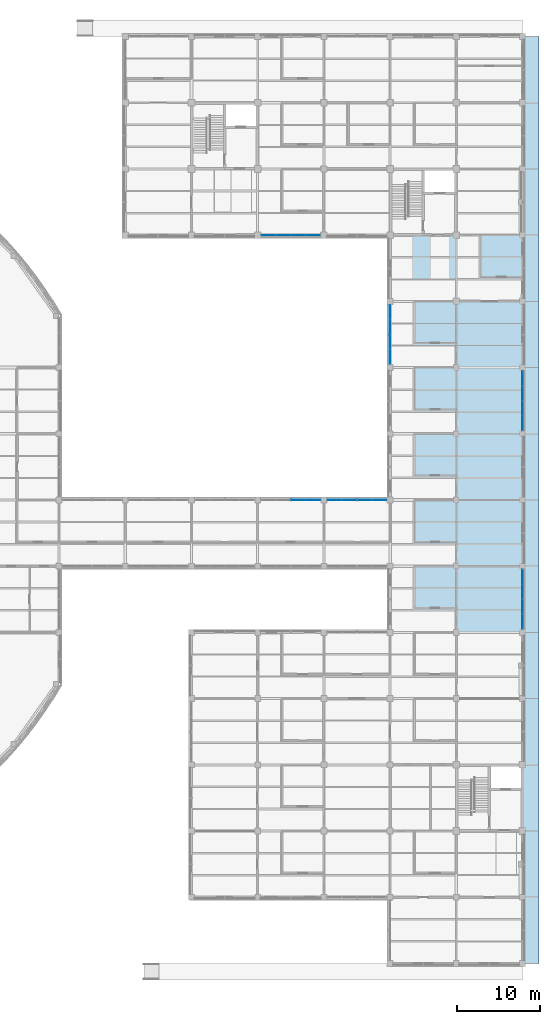
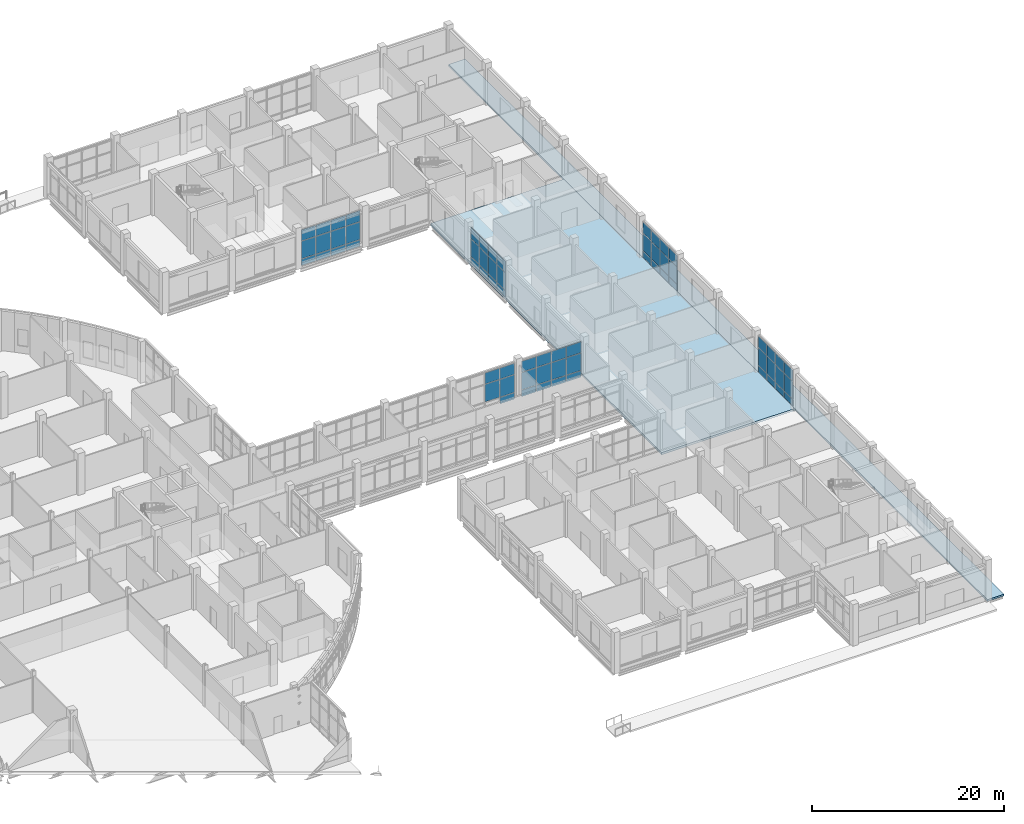
# One storey, part 56 of 105: 65 plates, 2 slabs, 6 elements without a shape of their own.
"""IFC4 building model written with IfcOpenShell, lengths in metres."""

import ifcopenshell
import ifcopenshell.guid

model = None  # the IFC model being written
_history = None  # IfcOwnerHistory: only IFC2X3 demands one
_inside = {}  # id of a spatial element -> (the spatial element, [elements in it])
_under = {}  # id of a project, library or spatial element -> (it, [spatial elements below it])
_declared = {}  # id of a project -> (the project, [libraries it declares])
_typed = {}  # id of a type object -> (the type object, [elements of that type])
_made_of = {}  # id of a material, layer set ... -> (it, [elements and type objects made of it])


def new_model(schema):
    """Start an empty IFC model of exactly this schema.

    Asked for "IFC4X3", IfcOpenShell would pick the latest addendum, in which some entities
    have other attributes; the version numbers below select the first issue.
    IFC2X3 requires an IfcOwnerHistory on every rooted entity: one is made here for all.
    """
    global model, _history
    if schema == "IFC4X3":
        model = ifcopenshell.file(schema_version=(4, 3, 0, 0))
    else:
        model = ifcopenshell.file(schema=schema)
    _inside.clear()
    _under.clear()
    _declared.clear()
    _typed.clear()
    _made_of.clear()
    _history = None
    if model.schema == "IFC2X3":
        org = make("IfcOrganization", Name="unknown")
        user = make(
            "IfcPersonAndOrganization",
            ThePerson=make("IfcPerson", FamilyName="unknown"),
            TheOrganization=org,
        )
        app = make(
            "IfcApplication",
            ApplicationDeveloper=org,
            Version="unknown",
            ApplicationFullName="unknown",
            ApplicationIdentifier="unknown",
        )
        _history = make(
            "IfcOwnerHistory",
            OwningUser=user,
            OwningApplication=app,
            ChangeAction="ADDED",
            CreationDate=0,
        )
    return model


def make(cls, **values):
    """One entity of the class cls with the attributes given. An attribute that is None is left unset."""
    return model.create_entity(
        cls, **{name: value for name, value in values.items() if value is not None}
    )


def rooted(cls, **values):
    """An entity with a GlobalId (a new one), such as an element, a storey or a relation."""
    return make(cls, GlobalId=ifcopenshell.guid.new(), OwnerHistory=_history, **values)


def si_unit(unit_type, name, prefix=None):
    """IfcSIUnit, for example si_unit("LENGTHUNIT", "METRE", prefix="MILLI")."""
    return make("IfcSIUnit", UnitType=unit_type, Prefix=prefix, Name=name)


def derived_unit(unit_type, elements):
    """IfcDerivedUnit: a product of units, each with its exponent."""
    return make(
        "IfcDerivedUnit",
        Elements=[
            make("IfcDerivedUnitElement", Unit=unit, Exponent=power)
            for unit, power in elements
        ],
        UnitType=unit_type,
    )


def assignment(units):
    """IfcUnitAssignment: the units of a project."""
    return None if units is None else make("IfcUnitAssignment", Units=units)


def point(xyz):
    """IfcCartesianPoint."""
    return None if xyz is None else make("IfcCartesianPoint", Coordinates=xyz)


def direction(xyz):
    """IfcDirection."""
    return None if xyz is None else make("IfcDirection", DirectionRatios=xyz)


def frame(location, z_axis=None, x_axis=None):
    """IfcAxis2Placement3D, a coordinate frame: its origin and axes. An axis left out is left unset."""
    return make(
        "IfcAxis2Placement3D",
        Location=point(location),
        Axis=direction(z_axis),
        RefDirection=direction(x_axis),
    )


def frame_2d(location, x_axis=None):
    """IfcAxis2Placement2D, a coordinate frame in the plane: its origin and x axis."""
    return make(
        "IfcAxis2Placement2D", Location=point(location), RefDirection=direction(x_axis)
    )


def origin():
    """The frame at (0, 0, 0) with its axes left unset."""
    return frame((0.0, 0.0, 0.0))


def origin_2d():
    """The frame at (0, 0) in the plane with its x axis left unset."""
    return frame_2d((0.0, 0.0))


def place(relative_to, where):
    """IfcLocalPlacement: puts the frame where relative to a parent placement (None: the world)."""
    return make(
        "IfcLocalPlacement", PlacementRelTo=relative_to, RelativePlacement=where
    )


def context(
    kind, dimensions, precision=None, world=None, true_north=None, identifier=None
):
    """IfcGeometricRepresentationContext, for example the 3D "Model" context."""
    return make(
        "IfcGeometricRepresentationContext",
        ContextIdentifier=identifier,
        ContextType=kind,
        CoordinateSpaceDimension=dimensions,
        Precision=precision,
        WorldCoordinateSystem=world,
        TrueNorth=true_north,
    )


def subcontext(parent, identifier, kind, view, scale=None):
    """IfcGeometricRepresentationSubContext, for example "Body" below "Model"."""
    return make(
        "IfcGeometricRepresentationSubContext",
        ContextIdentifier=identifier,
        ContextType=kind,
        ParentContext=parent,
        TargetScale=scale,
        TargetView=view,
    )


def project(units=None, contexts=None):
    """IfcProject with its units and contexts."""
    return rooted(
        "IfcProject",
        Name="project",
        RepresentationContexts=contexts,
        UnitsInContext=assignment(units),
    )


def spatial(cls, under=None, at=None, **own):
    """A site, building, storey or space (cls), placed at a placement, below another one or the project."""
    s = rooted(cls, ObjectPlacement=at, **own)
    if under is not None:
        _under.setdefault(under.id(), (under, []))[1].append(s)
    return s


def polyline(points):
    """IfcPolyline through the points."""
    return make("IfcPolyline", Points=[point(p) for p in points])


def profile(cls, at=None, kind="AREA", **sizes):
    """A parametric profile (cls). Its sizes go by their IFC names, for example OverallWidth=200.0."""
    return make(cls, ProfileType=kind, Position=at, **sizes)


def rectangle(**sizes):
    """IfcRectangleProfileDef."""
    return profile("IfcRectangleProfileDef", **sizes)


def outline(outer, holes=None, kind="AREA"):
    """IfcArbitraryClosedProfileDef: a profile drawn as a closed curve; with holes, ...WithVoids."""
    if holes is None:
        return make("IfcArbitraryClosedProfileDef", ProfileType=kind, OuterCurve=outer)
    return make(
        "IfcArbitraryProfileDefWithVoids",
        ProfileType=kind,
        OuterCurve=outer,
        InnerCurves=holes,
    )


def extrude(swept, where, along, depth):
    """IfcExtrudedAreaSolid: the profile swept, set in the frame where, extruded along a direction by depth."""
    return make(
        "IfcExtrudedAreaSolid",
        SweptArea=swept,
        Position=where,
        ExtrudedDirection=direction(along),
        Depth=depth,
    )


def shape(context_of_items, identifier, shape_type, items):
    """IfcShapeRepresentation: the items that make up one representation, for example the "Body"."""
    return make(
        "IfcShapeRepresentation",
        ContextOfItems=context_of_items,
        RepresentationIdentifier=identifier,
        RepresentationType=shape_type,
        Items=items,
    )


def material(Name=None, Category=None):
    """IfcMaterial."""
    return make("IfcMaterial", Name=Name, Category=Category)


def layer(
    of_material, thickness, ventilated=None, Name=None, Category=None, Priority=None
):
    """IfcMaterialLayer: one layer of a wall or slab, of a material (None: an air gap)."""
    return make(
        "IfcMaterialLayer",
        Material=of_material,
        LayerThickness=thickness,
        IsVentilated=ventilated,
        Name=Name,
        Category=Category,
        Priority=Priority,
    )


def layer_set(layers, Name=None):
    """IfcMaterialLayerSet."""
    return make("IfcMaterialLayerSet", MaterialLayers=layers, LayerSetName=Name)


def made_of(thing, what):
    """Note that an element or type object is made of a material, layer set ...; save() writes the relation."""
    if what is not None:
        _made_of.setdefault(what.id(), (what, []))[1].append(thing)
    return thing


def type_object(cls, material=None, **own):
    """A type object (cls), such as IfcWallType, which elements share."""
    return made_of(rooted(cls, **own), material)


def element(
    cls,
    number,
    at=None,
    inside=None,
    cuts=None,
    type_object=None,
    material=None,
    context=None,
    identifier="Body",
    shape_type=None,
    held_by="IfcProductDefinitionShape",
    body=None,
    shapes=None,
    **own,
):
    """One element of the class cls, such as IfcWall. Its Tag is "e" and its number.

    at: its placement. inside: the storey or other place that contains it. cuts: it is an
    opening in that element (IfcRelVoidsElement). A single representation is given by context,
    identifier, shape_type and body (its items); several are given by shapes. held_by: the class
    of the entity that holds the representations. save() writes the other relations.
    """
    e = rooted(cls, Tag="e%d" % number, ObjectPlacement=at, **own)
    if body is not None:
        shapes = [shape(context, identifier, shape_type, body)]
    if shapes is not None:
        e.Representation = make(held_by, Representations=shapes)
    if inside is not None:
        _inside.setdefault(inside.id(), (inside, []))[1].append(e)
    if cuts is not None:
        rooted(
            "IfcRelVoidsElement", RelatingBuildingElement=cuts, RelatedOpeningElement=e
        )
    if type_object is not None:
        _typed.setdefault(type_object.id(), (type_object, []))[1].append(e)
    return made_of(e, material)


def aggregate(whole, parts):
    """IfcRelAggregates: a whole, such as a stair, and the parts it consists of."""
    return rooted("IfcRelAggregates", RelatingObject=whole, RelatedObjects=parts)


def save(model, path):
    """Write the relations noted so far, then the file.

    IfcRelAggregates (storeys below a building ...), IfcRelContainedInSpatialStructure (elements
    in a storey), IfcRelDefinesByType, IfcRelAssociatesMaterial and IfcRelDeclares: one each for
    every whole, place, type object, material and project.
    """
    for whole, parts in _under.values():
        aggregate(whole, parts)
    for where, things in _inside.values():
        rooted(
            "IfcRelContainedInSpatialStructure",
            RelatedElements=things,
            RelatingStructure=where,
        )
    for kind, things in _typed.values():
        rooted("IfcRelDefinesByType", RelatedObjects=things, RelatingType=kind)
    for what, things in _made_of.values():
        rooted("IfcRelAssociatesMaterial", RelatedObjects=things, RelatingMaterial=what)
    for by, libraries in _declared.values():
        rooted("IfcRelDeclares", RelatingContext=by, RelatedDefinitions=libraries)
    model.write(path)


model = new_model("IFC4")

# Units and contexts
model_context = context("Model", 3, precision=1e-05, world=origin(), true_north=direction((0.0, 1.0)))
body_context = subcontext(model_context, "Body", "Model", "MODEL_VIEW")
ifc_project = project(units=[si_unit("LENGTHUNIT", "METRE"), si_unit("AREAUNIT", "SQUARE_METRE"), si_unit("VOLUMEUNIT", "CUBIC_METRE"), si_unit("PLANEANGLEUNIT", "RADIAN"), si_unit("MASSUNIT", "GRAM", prefix="KILO"), derived_unit("THERMALTRANSMITTANCEUNIT", [(si_unit("MASSUNIT", "GRAM", prefix="KILO"), 1), (si_unit("TIMEUNIT", "SECOND"), -3), (si_unit("THERMODYNAMICTEMPERATUREUNIT", "KELVIN"), -1)])], contexts=[model_context])

# Site, building, storey
site_placement = place(None, origin())
site = spatial("IfcSite", under=ifc_project, at=site_placement, CompositionType="ELEMENT")
building_placement = place(site_placement, origin())
building = spatial("IfcBuilding", under=site, at=building_placement, Name="Veyamyaing Civic Hall", CompositionType="ELEMENT")
storey_placement = place(building_placement, origin())
storey = spatial("IfcBuildingStorey", under=building, at=storey_placement, Name="L00", CompositionType="ELEMENT", Elevation=0.0)

# Curtain wall, plates
ifc_material_1 = material(Name="Anodised aluminium 6063-T6", Category="aluminium")
ifc_layer_1 = layer(ifc_material_1, 0.159912109375, Name="Anodised aluminium 6063-T6")
ifc_layer_set_1 = layer_set([ifc_layer_1], Name="Anodised aluminium 6063-T6")
curtain_wall_type = type_object("IfcCurtainWallType", Name="CW-01", PredefinedType="NOTDEFINED", material=ifc_layer_set_1)
curtain_wall_1_placement = place(storey_placement, origin())
curtain_wall_1 = element("IfcCurtainWall", 1, at=curtain_wall_1_placement, inside=storey, type_object=curtain_wall_type, Name="Unitized curtain wall CW-01 L00 S 19.12", PredefinedType="NOTDEFINED")
ifc_material_2 = material(Name="Low-E insulated glass", Category="glass")
ifc_layer_2 = layer(ifc_material_2, 0.028076171875, Name="Low-E insulated glass")
ifc_layer_set_2 = layer_set([ifc_layer_2], Name="Low-E insulated glass")
plate_type_1 = type_object("IfcPlateType", Name="CWP-01", PredefinedType="CURTAIN_PANEL", material=ifc_layer_set_2)
plate_1_placement = place(storey_placement, frame((145.320068359375, 88.0, 0.06494140625), z_axis=(0.0, 0.0, 1.0), x_axis=(1.0, 0.0, 0.0)))
plate_1 = element("IfcPlate", 2, at=plate_1_placement, type_object=plate_type_1, Name="CW-01 panel 1.1", PredefinedType="CURTAIN_PANEL", context=body_context, shape_type="SweptSolid", body=[
    extrude(rectangle(XDim=1.699951171875, YDim=0.028076171875, at=origin_2d()), origin(), (0.0, 0.0, 1.0), 0.802490234375),
])
plate_2_placement = place(storey_placement, frame((145.320068359375, 88.0, 0.932373046875), z_axis=(0.0, 0.0, 1.0), x_axis=(1.0, 0.0, 0.0)))
plate_2 = element("IfcPlate", 3, at=plate_2_placement, type_object=plate_type_1, Name="CW-01 panel 1.2", PredefinedType="CURTAIN_PANEL", context=body_context, shape_type="SweptSolid", body=[
    extrude(rectangle(XDim=1.699951171875, YDim=0.028076171875, at=origin_2d()), origin(), (0.0, 0.0, 1.0), 2.21337890625),
])
plate_3_placement = place(storey_placement, frame((145.320068359375, 88.0, 3.2109375), z_axis=(0.0, 0.0, 1.0), x_axis=(1.0, 0.0, 0.0)))
plate_3 = element("IfcPlate", 4, at=plate_3_placement, type_object=plate_type_1, Name="CW-01 panel 1.3", PredefinedType="CURTAIN_PANEL", context=body_context, shape_type="SweptSolid", body=[
    extrude(rectangle(XDim=1.699951171875, YDim=0.028076171875, at=origin_2d()), origin(), (0.0, 0.0, 1.0), 1.398193359375),
])
plate_4_placement = place(storey_placement, frame((147.101318359375, 88.0, 0.06494140625), z_axis=(0.0, 0.0, 1.0), x_axis=(1.0, 0.0, 0.0)))
plate_4 = element("IfcPlate", 5, at=plate_4_placement, type_object=plate_type_1, Name="CW-01 panel 2.1", PredefinedType="CURTAIN_PANEL", context=body_context, shape_type="SweptSolid", body=[
    extrude(rectangle(XDim=1.732421875, YDim=0.028076171875, at=origin_2d()), origin(), (0.0, 0.0, 1.0), 0.802490234375),
])
plate_5_placement = place(storey_placement, frame((147.101318359375, 88.0, 0.932373046875), z_axis=(0.0, 0.0, 1.0), x_axis=(1.0, 0.0, 0.0)))
plate_5 = element("IfcPlate", 6, at=plate_5_placement, type_object=plate_type_1, Name="CW-01 panel 2.2", PredefinedType="CURTAIN_PANEL", context=body_context, shape_type="SweptSolid", body=[
    extrude(rectangle(XDim=1.732421875, YDim=0.028076171875, at=origin_2d()), origin(), (0.0, 0.0, 1.0), 2.21337890625),
])
plate_6_placement = place(storey_placement, frame((147.101318359375, 88.0, 3.2109375), z_axis=(0.0, 0.0, 1.0), x_axis=(1.0, 0.0, 0.0)))
plate_6 = element("IfcPlate", 7, at=plate_6_placement, type_object=plate_type_1, Name="CW-01 panel 2.3", PredefinedType="CURTAIN_PANEL", context=body_context, shape_type="SweptSolid", body=[
    extrude(rectangle(XDim=1.732421875, YDim=0.028076171875, at=origin_2d()), origin(), (0.0, 0.0, 1.0), 1.398193359375),
])
plate_7_placement = place(storey_placement, frame((148.898681640625, 88.0, 0.06494140625), z_axis=(0.0, 0.0, 1.0), x_axis=(1.0, 0.0, 0.0)))
plate_7 = element("IfcPlate", 8, at=plate_7_placement, type_object=plate_type_1, Name="CW-01 panel 3.1", PredefinedType="CURTAIN_PANEL", context=body_context, shape_type="SweptSolid", body=[
    extrude(rectangle(XDim=1.732421875, YDim=0.028076171875, at=origin_2d()), origin(), (0.0, 0.0, 1.0), 0.802490234375),
])
plate_8_placement = place(storey_placement, frame((148.898681640625, 88.0, 0.932373046875), z_axis=(0.0, 0.0, 1.0), x_axis=(1.0, 0.0, 0.0)))
plate_8 = element("IfcPlate", 9, at=plate_8_placement, type_object=plate_type_1, Name="CW-01 panel 3.2", PredefinedType="CURTAIN_PANEL", context=body_context, shape_type="SweptSolid", body=[
    extrude(rectangle(XDim=1.732421875, YDim=0.028076171875, at=origin_2d()), origin(), (0.0, 0.0, 1.0), 2.21337890625),
])
plate_9_placement = place(storey_placement, frame((148.898681640625, 88.0, 3.2109375), z_axis=(0.0, 0.0, 1.0), x_axis=(1.0, 0.0, 0.0)))
plate_9 = element("IfcPlate", 10, at=plate_9_placement, type_object=plate_type_1, Name="CW-01 panel 3.3", PredefinedType="CURTAIN_PANEL", context=body_context, shape_type="SweptSolid", body=[
    extrude(rectangle(XDim=1.732421875, YDim=0.028076171875, at=origin_2d()), origin(), (0.0, 0.0, 1.0), 1.398193359375),
])
plate_10_placement = place(storey_placement, frame((150.679931640625, 88.0, 0.06494140625), z_axis=(0.0, 0.0, 1.0), x_axis=(1.0, 0.0, 0.0)))
plate_10 = element("IfcPlate", 11, at=plate_10_placement, type_object=plate_type_1, Name="CW-01 panel 4.1", PredefinedType="CURTAIN_PANEL", context=body_context, shape_type="SweptSolid", body=[
    extrude(rectangle(XDim=1.699951171875, YDim=0.028076171875, at=origin_2d()), origin(), (0.0, 0.0, 1.0), 0.802490234375),
])
plate_11_placement = place(storey_placement, frame((150.679931640625, 88.0, 0.932373046875), z_axis=(0.0, 0.0, 1.0), x_axis=(1.0, 0.0, 0.0)))
plate_11 = element("IfcPlate", 12, at=plate_11_placement, type_object=plate_type_1, Name="CW-01 panel 4.2", PredefinedType="CURTAIN_PANEL", context=body_context, shape_type="SweptSolid", body=[
    extrude(rectangle(XDim=1.699951171875, YDim=0.028076171875, at=origin_2d()), origin(), (0.0, 0.0, 1.0), 2.21337890625),
])
plate_12_placement = place(storey_placement, frame((150.679931640625, 88.0, 3.2109375), z_axis=(0.0, 0.0, 1.0), x_axis=(1.0, 0.0, 0.0)))
plate_12 = element("IfcPlate", 13, at=plate_12_placement, type_object=plate_type_1, Name="CW-01 panel 4.3", PredefinedType="CURTAIN_PANEL", context=body_context, shape_type="SweptSolid", body=[
    extrude(rectangle(XDim=1.699951171875, YDim=0.028076171875, at=origin_2d()), origin(), (0.0, 0.0, 1.0), 1.398193359375),
])
aggregate(curtain_wall_1, [plate_1, plate_2, plate_3, plate_4, plate_5, plate_6, plate_7, plate_8, plate_9, plate_10, plate_11, plate_12])

curtain_wall_2_placement = place(storey_placement, origin())
curtain_wall_2 = element("IfcCurtainWall", 14, at=curtain_wall_2_placement, inside=storey, type_object=curtain_wall_type, Name="Unitized curtain wall CW-01 L00 W 21.10", PredefinedType="NOTDEFINED")
plate_13_placement = place(storey_placement, frame((160.0, 73.30126953125, 0.06494140625), z_axis=(0.0, 0.0, 1.0), x_axis=(0.0, 1.0, 0.0)))
plate_13 = element("IfcPlate", 15, at=plate_13_placement, type_object=plate_type_1, Name="CW-01 panel 1.1", PredefinedType="CURTAIN_PANEL", context=body_context, shape_type="SweptSolid", body=[
    extrude(rectangle(XDim=1.71240234375, YDim=0.028076171875, at=origin_2d()), origin(), (0.0, 0.0, 1.0), 0.802490234375),
])
plate_14_placement = place(storey_placement, frame((160.0, 73.30126953125, 0.932373046875), z_axis=(0.0, 0.0, 1.0), x_axis=(0.0, 1.0, 0.0)))
plate_14 = element("IfcPlate", 16, at=plate_14_placement, type_object=plate_type_1, Name="CW-01 panel 1.2", PredefinedType="CURTAIN_PANEL", context=body_context, shape_type="SweptSolid", body=[
    extrude(rectangle(XDim=1.71240234375, YDim=0.028076171875, at=origin_2d()), origin(), (0.0, 0.0, 1.0), 2.216796875),
])
plate_15_placement = place(storey_placement, frame((160.0, 73.30126953125, 3.214111328125), z_axis=(0.0, 0.0, 1.0), x_axis=(0.0, 1.0, 0.0)))
plate_15 = element("IfcPlate", 17, at=plate_15_placement, type_object=plate_type_1, Name="CW-01 panel 1.3", PredefinedType="CURTAIN_PANEL", context=body_context, shape_type="SweptSolid", body=[
    extrude(rectangle(XDim=1.71240234375, YDim=0.028076171875, at=origin_2d()), origin(), (0.0, 0.0, 1.0), 1.39990234375),
])
plate_16_placement = place(storey_placement, frame((160.0, 75.094970703125, 0.06494140625), z_axis=(0.0, 0.0, 1.0), x_axis=(0.0, 1.0, 0.0)))
plate_16 = element("IfcPlate", 18, at=plate_16_placement, type_object=plate_type_1, Name="CW-01 panel 2.1", PredefinedType="CURTAIN_PANEL", context=body_context, shape_type="SweptSolid", body=[
    extrude(rectangle(XDim=1.7451171875, YDim=0.028076171875, at=origin_2d()), origin(), (0.0, 0.0, 1.0), 0.802490234375),
])
plate_17_placement = place(storey_placement, frame((160.0, 75.094970703125, 0.932373046875), z_axis=(0.0, 0.0, 1.0), x_axis=(0.0, 1.0, 0.0)))
plate_17 = element("IfcPlate", 19, at=plate_17_placement, type_object=plate_type_1, Name="CW-01 panel 2.2", PredefinedType="CURTAIN_PANEL", context=body_context, shape_type="SweptSolid", body=[
    extrude(rectangle(XDim=1.7451171875, YDim=0.028076171875, at=origin_2d()), origin(), (0.0, 0.0, 1.0), 2.216796875),
])
plate_18_placement = place(storey_placement, frame((160.0, 75.094970703125, 3.214111328125), z_axis=(0.0, 0.0, 1.0), x_axis=(0.0, 1.0, 0.0)))
plate_18 = element("IfcPlate", 20, at=plate_18_placement, type_object=plate_type_1, Name="CW-01 panel 2.3", PredefinedType="CURTAIN_PANEL", context=body_context, shape_type="SweptSolid", body=[
    extrude(rectangle(XDim=1.7451171875, YDim=0.028076171875, at=origin_2d()), origin(), (0.0, 0.0, 1.0), 1.39990234375),
])
plate_19_placement = place(storey_placement, frame((160.0, 76.905029296875, 0.06494140625), z_axis=(0.0, 0.0, 1.0), x_axis=(0.0, 1.0, 0.0)))
plate_19 = element("IfcPlate", 21, at=plate_19_placement, type_object=plate_type_1, Name="CW-01 panel 3.1", PredefinedType="CURTAIN_PANEL", context=body_context, shape_type="SweptSolid", body=[
    extrude(rectangle(XDim=1.7451171875, YDim=0.028076171875, at=origin_2d()), origin(), (0.0, 0.0, 1.0), 0.802490234375),
])
plate_20_placement = place(storey_placement, frame((160.0, 76.905029296875, 0.932373046875), z_axis=(0.0, 0.0, 1.0), x_axis=(0.0, 1.0, 0.0)))
plate_20 = element("IfcPlate", 22, at=plate_20_placement, type_object=plate_type_1, Name="CW-01 panel 3.2", PredefinedType="CURTAIN_PANEL", context=body_context, shape_type="SweptSolid", body=[
    extrude(rectangle(XDim=1.7451171875, YDim=0.028076171875, at=origin_2d()), origin(), (0.0, 0.0, 1.0), 2.216796875),
])
plate_21_placement = place(storey_placement, frame((160.0, 76.905029296875, 3.214111328125), z_axis=(0.0, 0.0, 1.0), x_axis=(0.0, 1.0, 0.0)))
plate_21 = element("IfcPlate", 23, at=plate_21_placement, type_object=plate_type_1, Name="CW-01 panel 3.3", PredefinedType="CURTAIN_PANEL", context=body_context, shape_type="SweptSolid", body=[
    extrude(rectangle(XDim=1.7451171875, YDim=0.028076171875, at=origin_2d()), origin(), (0.0, 0.0, 1.0), 1.39990234375),
])
plate_22_placement = place(storey_placement, frame((160.0, 78.69873046875, 0.06494140625), z_axis=(0.0, 0.0, 1.0), x_axis=(0.0, 1.0, 0.0)))
plate_22 = element("IfcPlate", 24, at=plate_22_placement, type_object=plate_type_1, Name="CW-01 panel 4.1", PredefinedType="CURTAIN_PANEL", context=body_context, shape_type="SweptSolid", body=[
    extrude(rectangle(XDim=1.71240234375, YDim=0.028076171875, at=origin_2d()), origin(), (0.0, 0.0, 1.0), 0.802490234375),
])
plate_23_placement = place(storey_placement, frame((160.0, 78.69873046875, 0.932373046875), z_axis=(0.0, 0.0, 1.0), x_axis=(0.0, 1.0, 0.0)))
plate_23 = element("IfcPlate", 25, at=plate_23_placement, type_object=plate_type_1, Name="CW-01 panel 4.2", PredefinedType="CURTAIN_PANEL", context=body_context, shape_type="SweptSolid", body=[
    extrude(rectangle(XDim=1.71240234375, YDim=0.028076171875, at=origin_2d()), origin(), (0.0, 0.0, 1.0), 2.216796875),
])
plate_24_placement = place(storey_placement, frame((160.0, 78.69873046875, 3.214111328125), z_axis=(0.0, 0.0, 1.0), x_axis=(0.0, 1.0, 0.0)))
plate_24 = element("IfcPlate", 26, at=plate_24_placement, type_object=plate_type_1, Name="CW-01 panel 4.3", PredefinedType="CURTAIN_PANEL", context=body_context, shape_type="SweptSolid", body=[
    extrude(rectangle(XDim=1.71240234375, YDim=0.028076171875, at=origin_2d()), origin(), (0.0, 0.0, 1.0), 1.39990234375),
])
aggregate(curtain_wall_2, [plate_13, plate_14, plate_15, plate_16, plate_17, plate_18, plate_19, plate_20, plate_21, plate_22, plate_23, plate_24])

curtain_wall_3_placement = place(storey_placement, origin())
curtain_wall_3 = element("IfcCurtainWall", 27, at=curtain_wall_3_placement, inside=storey, type_object=curtain_wall_type, Name="Unitized curtain wall CW-01 L00 E 22.9", PredefinedType="NOTDEFINED")
plate_25_placement = place(storey_placement, frame((176.0, 65.30126953125, 0.06494140625), z_axis=(0.0, 0.0, 1.0), x_axis=(0.0, 1.0, 0.0)))
plate_25 = element("IfcPlate", 28, at=plate_25_placement, type_object=plate_type_1, Name="CW-01 panel 1.1", PredefinedType="CURTAIN_PANEL", context=body_context, shape_type="SweptSolid", body=[
    extrude(rectangle(XDim=1.71240234375, YDim=0.028076171875, at=origin_2d()), origin(), (0.0, 0.0, 1.0), 0.802490234375),
])
plate_26_placement = place(storey_placement, frame((176.0, 65.30126953125, 0.9326171875), z_axis=(0.0, 0.0, 1.0), x_axis=(0.0, 1.0, 0.0)))
plate_26 = element("IfcPlate", 29, at=plate_26_placement, type_object=plate_type_1, Name="CW-01 panel 1.2", PredefinedType="CURTAIN_PANEL", context=body_context, shape_type="SweptSolid", body=[
    extrude(rectangle(XDim=1.71240234375, YDim=0.028076171875, at=origin_2d()), origin(), (0.0, 0.0, 1.0), 2.172607421875),
])
plate_27_placement = place(storey_placement, frame((176.0, 65.30126953125, 3.170166015625), z_axis=(0.0, 0.0, 1.0), x_axis=(0.0, 1.0, 0.0)))
plate_27 = element("IfcPlate", 30, at=plate_27_placement, type_object=plate_type_1, Name="CW-01 panel 1.3", PredefinedType="CURTAIN_PANEL", context=body_context, shape_type="SweptSolid", body=[
    extrude(rectangle(XDim=1.71240234375, YDim=0.028076171875, at=origin_2d()), origin(), (0.0, 0.0, 1.0), 1.37890625),
])
plate_28_placement = place(storey_placement, frame((176.0, 67.094970703125, 0.06494140625), z_axis=(0.0, 0.0, 1.0), x_axis=(0.0, 1.0, 0.0)))
plate_28 = element("IfcPlate", 31, at=plate_28_placement, type_object=plate_type_1, Name="CW-01 panel 2.1", PredefinedType="CURTAIN_PANEL", context=body_context, shape_type="SweptSolid", body=[
    extrude(rectangle(XDim=1.7451171875, YDim=0.028076171875, at=origin_2d()), origin(), (0.0, 0.0, 1.0), 0.802490234375),
])
plate_29_placement = place(storey_placement, frame((176.0, 67.094970703125, 0.9326171875), z_axis=(0.0, 0.0, 1.0), x_axis=(0.0, 1.0, 0.0)))
plate_29 = element("IfcPlate", 32, at=plate_29_placement, type_object=plate_type_1, Name="CW-01 panel 2.2", PredefinedType="CURTAIN_PANEL", context=body_context, shape_type="SweptSolid", body=[
    extrude(rectangle(XDim=1.7451171875, YDim=0.028076171875, at=origin_2d()), origin(), (0.0, 0.0, 1.0), 2.172607421875),
])
plate_30_placement = place(storey_placement, frame((176.0, 67.094970703125, 3.170166015625), z_axis=(0.0, 0.0, 1.0), x_axis=(0.0, 1.0, 0.0)))
plate_30 = element("IfcPlate", 33, at=plate_30_placement, type_object=plate_type_1, Name="CW-01 panel 2.3", PredefinedType="CURTAIN_PANEL", context=body_context, shape_type="SweptSolid", body=[
    extrude(rectangle(XDim=1.7451171875, YDim=0.028076171875, at=origin_2d()), origin(), (0.0, 0.0, 1.0), 1.37890625),
])
plate_31_placement = place(storey_placement, frame((176.0, 68.905029296875, 0.06494140625), z_axis=(0.0, 0.0, 1.0), x_axis=(0.0, 1.0, 0.0)))
plate_31 = element("IfcPlate", 34, at=plate_31_placement, type_object=plate_type_1, Name="CW-01 panel 3.1", PredefinedType="CURTAIN_PANEL", context=body_context, shape_type="SweptSolid", body=[
    extrude(rectangle(XDim=1.7451171875, YDim=0.028076171875, at=origin_2d()), origin(), (0.0, 0.0, 1.0), 0.802490234375),
])
plate_32_placement = place(storey_placement, frame((176.0, 68.905029296875, 0.9326171875), z_axis=(0.0, 0.0, 1.0), x_axis=(0.0, 1.0, 0.0)))
plate_32 = element("IfcPlate", 35, at=plate_32_placement, type_object=plate_type_1, Name="CW-01 panel 3.2", PredefinedType="CURTAIN_PANEL", context=body_context, shape_type="SweptSolid", body=[
    extrude(rectangle(XDim=1.7451171875, YDim=0.028076171875, at=origin_2d()), origin(), (0.0, 0.0, 1.0), 2.172607421875),
])
plate_33_placement = place(storey_placement, frame((176.0, 68.905029296875, 3.170166015625), z_axis=(0.0, 0.0, 1.0), x_axis=(0.0, 1.0, 0.0)))
plate_33 = element("IfcPlate", 36, at=plate_33_placement, type_object=plate_type_1, Name="CW-01 panel 3.3", PredefinedType="CURTAIN_PANEL", context=body_context, shape_type="SweptSolid", body=[
    extrude(rectangle(XDim=1.7451171875, YDim=0.028076171875, at=origin_2d()), origin(), (0.0, 0.0, 1.0), 1.37890625),
])
plate_34_placement = place(storey_placement, frame((176.0, 70.69873046875, 0.06494140625), z_axis=(0.0, 0.0, 1.0), x_axis=(0.0, 1.0, 0.0)))
plate_34 = element("IfcPlate", 37, at=plate_34_placement, type_object=plate_type_1, Name="CW-01 panel 4.1", PredefinedType="CURTAIN_PANEL", context=body_context, shape_type="SweptSolid", body=[
    extrude(rectangle(XDim=1.71240234375, YDim=0.028076171875, at=origin_2d()), origin(), (0.0, 0.0, 1.0), 0.802490234375),
])
plate_35_placement = place(storey_placement, frame((176.0, 70.69873046875, 0.9326171875), z_axis=(0.0, 0.0, 1.0), x_axis=(0.0, 1.0, 0.0)))
plate_35 = element("IfcPlate", 38, at=plate_35_placement, type_object=plate_type_1, Name="CW-01 panel 4.2", PredefinedType="CURTAIN_PANEL", context=body_context, shape_type="SweptSolid", body=[
    extrude(rectangle(XDim=1.71240234375, YDim=0.028076171875, at=origin_2d()), origin(), (0.0, 0.0, 1.0), 2.172607421875),
])
plate_36_placement = place(storey_placement, frame((176.0, 70.69873046875, 3.170166015625), z_axis=(0.0, 0.0, 1.0), x_axis=(0.0, 1.0, 0.0)))
plate_36 = element("IfcPlate", 39, at=plate_36_placement, type_object=plate_type_1, Name="CW-01 panel 4.3", PredefinedType="CURTAIN_PANEL", context=body_context, shape_type="SweptSolid", body=[
    extrude(rectangle(XDim=1.71240234375, YDim=0.028076171875, at=origin_2d()), origin(), (0.0, 0.0, 1.0), 1.37890625),
])
aggregate(curtain_wall_3, [plate_25, plate_26, plate_27, plate_28, plate_29, plate_30, plate_31, plate_32, plate_33, plate_34, plate_35, plate_36])

curtain_wall_4_placement = place(storey_placement, origin())
curtain_wall_4 = element("IfcCurtainWall", 40, at=curtain_wall_4_placement, inside=storey, type_object=curtain_wall_type, Name="Unitized curtain wall CW-01 L00 N 19.7", PredefinedType="NOTDEFINED")
ifc_layer_3 = layer(ifc_material_2, 0.031982421875, Name="Low-E insulated glass")
ifc_layer_set_3 = layer_set([ifc_layer_3], Name="Low-E insulated glass")
plate_type_2 = type_object("IfcPlateType", Name="CWP-02", PredefinedType="CURTAIN_PANEL", material=ifc_layer_set_3)
plate_37_placement = place(storey_placement, frame((148.905029296875, 56.0, 0.932373046875), z_axis=(0.0, 0.0, 1.0), x_axis=(1.0, 0.0, 0.0)))
plate_37 = element("IfcPlate", 41, at=plate_37_placement, type_object=plate_type_2, Name="CW-01 panel 3.2", PredefinedType="CURTAIN_PANEL", context=body_context, shape_type="SweptSolid", body=[
    extrude(rectangle(XDim=1.7451171875, YDim=0.031982421875, at=origin_2d()), origin(), (0.0, 0.0, 1.0), 2.21337890625),
])
plate_38_placement = place(storey_placement, frame((148.905029296875, 56.0, 3.2109375), z_axis=(0.0, 0.0, 1.0), x_axis=(1.0, 0.0, 0.0)))
plate_38 = element("IfcPlate", 42, at=plate_38_placement, type_object=plate_type_2, Name="CW-01 panel 3.3", PredefinedType="CURTAIN_PANEL", context=body_context, shape_type="SweptSolid", body=[
    extrude(rectangle(XDim=1.7451171875, YDim=0.031982421875, at=origin_2d()), origin(), (0.0, 0.0, 1.0), 1.398193359375),
])
plate_39_placement = place(storey_placement, frame((150.69873046875, 56.0, 0.06494140625), z_axis=(0.0, 0.0, 1.0), x_axis=(1.0, 0.0, 0.0)))
plate_39 = element("IfcPlate", 43, at=plate_39_placement, type_object=plate_type_2, Name="CW-01 panel 4.1", PredefinedType="CURTAIN_PANEL", context=body_context, shape_type="SweptSolid", body=[
    extrude(rectangle(XDim=1.71240234375, YDim=0.031982421875, at=origin_2d()), origin(), (0.0, 0.0, 1.0), 0.802490234375),
])
plate_40_placement = place(storey_placement, frame((150.69873046875, 56.0, 0.932373046875), z_axis=(0.0, 0.0, 1.0), x_axis=(1.0, 0.0, 0.0)))
plate_40 = element("IfcPlate", 44, at=plate_40_placement, type_object=plate_type_2, Name="CW-01 panel 4.2", PredefinedType="CURTAIN_PANEL", context=body_context, shape_type="SweptSolid", body=[
    extrude(rectangle(XDim=1.71240234375, YDim=0.031982421875, at=origin_2d()), origin(), (0.0, 0.0, 1.0), 2.21337890625),
])
plate_41_placement = place(storey_placement, frame((150.69873046875, 56.0, 3.2109375), z_axis=(0.0, 0.0, 1.0), x_axis=(1.0, 0.0, 0.0)))
plate_41 = element("IfcPlate", 45, at=plate_41_placement, type_object=plate_type_2, Name="CW-01 panel 4.3", PredefinedType="CURTAIN_PANEL", context=body_context, shape_type="SweptSolid", body=[
    extrude(rectangle(XDim=1.71240234375, YDim=0.031982421875, at=origin_2d()), origin(), (0.0, 0.0, 1.0), 1.398193359375),
])
aggregate(curtain_wall_4, [plate_37, plate_38, plate_39, plate_40, plate_41])

curtain_wall_5_placement = place(storey_placement, origin())
curtain_wall_5 = element("IfcCurtainWall", 46, at=curtain_wall_5_placement, inside=storey, type_object=curtain_wall_type, Name="Unitized curtain wall CW-01 L00 N 20.7", PredefinedType="NOTDEFINED")
ifc_layer_4 = layer(ifc_material_2, 0.035888671875, Name="Low-E insulated glass")
ifc_layer_set_4 = layer_set([ifc_layer_4], Name="Low-E insulated glass")
plate_type_3 = type_object("IfcPlateType", Name="CWP-03", PredefinedType="CURTAIN_PANEL", material=ifc_layer_set_4)
plate_42_placement = place(storey_placement, frame((153.30126953125, 56.0, 0.06494140625), z_axis=(0.0, 0.0, 1.0), x_axis=(1.0, 0.0, 0.0)))
plate_42 = element("IfcPlate", 47, at=plate_42_placement, type_object=plate_type_3, Name="CW-01 panel 1.1", PredefinedType="CURTAIN_PANEL", context=body_context, shape_type="SweptSolid", body=[
    extrude(rectangle(XDim=1.71240234375, YDim=0.035888671875, at=origin_2d()), origin(), (0.0, 0.0, 1.0), 0.802490234375),
])
plate_43_placement = place(storey_placement, frame((153.30126953125, 56.0, 0.9326171875), z_axis=(0.0, 0.0, 1.0), x_axis=(1.0, 0.0, 0.0)))
plate_43 = element("IfcPlate", 48, at=plate_43_placement, type_object=plate_type_3, Name="CW-01 panel 1.2", PredefinedType="CURTAIN_PANEL", context=body_context, shape_type="SweptSolid", body=[
    extrude(rectangle(XDim=1.71240234375, YDim=0.035888671875, at=origin_2d()), origin(), (0.0, 0.0, 1.0), 2.172607421875),
])
plate_44_placement = place(storey_placement, frame((153.30126953125, 56.0, 3.170166015625), z_axis=(0.0, 0.0, 1.0), x_axis=(1.0, 0.0, 0.0)))
plate_44 = element("IfcPlate", 49, at=plate_44_placement, type_object=plate_type_3, Name="CW-01 panel 1.3", PredefinedType="CURTAIN_PANEL", context=body_context, shape_type="SweptSolid", body=[
    extrude(rectangle(XDim=1.71240234375, YDim=0.035888671875, at=origin_2d()), origin(), (0.0, 0.0, 1.0), 1.37890625),
])
plate_45_placement = place(storey_placement, frame((155.094970703125, 56.0, 0.06494140625), z_axis=(0.0, 0.0, 1.0), x_axis=(1.0, 0.0, 0.0)))
plate_45 = element("IfcPlate", 50, at=plate_45_placement, type_object=plate_type_3, Name="CW-01 panel 2.1", PredefinedType="CURTAIN_PANEL", context=body_context, shape_type="SweptSolid", body=[
    extrude(rectangle(XDim=1.7451171875, YDim=0.035888671875, at=origin_2d()), origin(), (0.0, 0.0, 1.0), 0.802490234375),
])
plate_46_placement = place(storey_placement, frame((155.094970703125, 56.0, 0.9326171875), z_axis=(0.0, 0.0, 1.0), x_axis=(1.0, 0.0, 0.0)))
plate_46 = element("IfcPlate", 51, at=plate_46_placement, type_object=plate_type_3, Name="CW-01 panel 2.2", PredefinedType="CURTAIN_PANEL", context=body_context, shape_type="SweptSolid", body=[
    extrude(rectangle(XDim=1.7451171875, YDim=0.035888671875, at=origin_2d()), origin(), (0.0, 0.0, 1.0), 2.172607421875),
])
plate_47_placement = place(storey_placement, frame((155.094970703125, 56.0, 3.170166015625), z_axis=(0.0, 0.0, 1.0), x_axis=(1.0, 0.0, 0.0)))
plate_47 = element("IfcPlate", 52, at=plate_47_placement, type_object=plate_type_3, Name="CW-01 panel 2.3", PredefinedType="CURTAIN_PANEL", context=body_context, shape_type="SweptSolid", body=[
    extrude(rectangle(XDim=1.7451171875, YDim=0.035888671875, at=origin_2d()), origin(), (0.0, 0.0, 1.0), 1.37890625),
])
plate_48_placement = place(storey_placement, frame((156.905029296875, 56.0, 0.06494140625), z_axis=(0.0, 0.0, 1.0), x_axis=(1.0, 0.0, 0.0)))
plate_48 = element("IfcPlate", 53, at=plate_48_placement, type_object=plate_type_3, Name="CW-01 panel 3.1", PredefinedType="CURTAIN_PANEL", context=body_context, shape_type="SweptSolid", body=[
    extrude(rectangle(XDim=1.7451171875, YDim=0.035888671875, at=origin_2d()), origin(), (0.0, 0.0, 1.0), 0.802490234375),
])
plate_49_placement = place(storey_placement, frame((156.905029296875, 56.0, 0.9326171875), z_axis=(0.0, 0.0, 1.0), x_axis=(1.0, 0.0, 0.0)))
plate_49 = element("IfcPlate", 54, at=plate_49_placement, type_object=plate_type_3, Name="CW-01 panel 3.2", PredefinedType="CURTAIN_PANEL", context=body_context, shape_type="SweptSolid", body=[
    extrude(rectangle(XDim=1.7451171875, YDim=0.035888671875, at=origin_2d()), origin(), (0.0, 0.0, 1.0), 2.172607421875),
])
plate_50_placement = place(storey_placement, frame((156.905029296875, 56.0, 3.170166015625), z_axis=(0.0, 0.0, 1.0), x_axis=(1.0, 0.0, 0.0)))
plate_50 = element("IfcPlate", 55, at=plate_50_placement, type_object=plate_type_3, Name="CW-01 panel 3.3", PredefinedType="CURTAIN_PANEL", context=body_context, shape_type="SweptSolid", body=[
    extrude(rectangle(XDim=1.7451171875, YDim=0.035888671875, at=origin_2d()), origin(), (0.0, 0.0, 1.0), 1.37890625),
])
plate_51_placement = place(storey_placement, frame((158.69873046875, 56.0, 0.06494140625), z_axis=(0.0, 0.0, 1.0), x_axis=(1.0, 0.0, 0.0)))
plate_51 = element("IfcPlate", 56, at=plate_51_placement, type_object=plate_type_3, Name="CW-01 panel 4.1", PredefinedType="CURTAIN_PANEL", context=body_context, shape_type="SweptSolid", body=[
    extrude(rectangle(XDim=1.71240234375, YDim=0.035888671875, at=origin_2d()), origin(), (0.0, 0.0, 1.0), 0.802490234375),
])
plate_52_placement = place(storey_placement, frame((158.69873046875, 56.0, 0.9326171875), z_axis=(0.0, 0.0, 1.0), x_axis=(1.0, 0.0, 0.0)))
plate_52 = element("IfcPlate", 57, at=plate_52_placement, type_object=plate_type_3, Name="CW-01 panel 4.2", PredefinedType="CURTAIN_PANEL", context=body_context, shape_type="SweptSolid", body=[
    extrude(rectangle(XDim=1.71240234375, YDim=0.035888671875, at=origin_2d()), origin(), (0.0, 0.0, 1.0), 2.172607421875),
])
plate_53_placement = place(storey_placement, frame((158.69873046875, 56.0, 3.170166015625), z_axis=(0.0, 0.0, 1.0), x_axis=(1.0, 0.0, 0.0)))
plate_53 = element("IfcPlate", 58, at=plate_53_placement, type_object=plate_type_3, Name="CW-01 panel 4.3", PredefinedType="CURTAIN_PANEL", context=body_context, shape_type="SweptSolid", body=[
    extrude(rectangle(XDim=1.71240234375, YDim=0.035888671875, at=origin_2d()), origin(), (0.0, 0.0, 1.0), 1.37890625),
])
aggregate(curtain_wall_5, [plate_42, plate_43, plate_44, plate_45, plate_46, plate_47, plate_48, plate_49, plate_50, plate_51, plate_52, plate_53])

curtain_wall_6_placement = place(storey_placement, origin())
curtain_wall_6 = element("IfcCurtainWall", 59, at=curtain_wall_6_placement, inside=storey, type_object=curtain_wall_type, Name="Unitized curtain wall CW-01 L00 E 22.6", PredefinedType="NOTDEFINED")
ifc_layer_5 = layer(ifc_material_2, 0.02392578125, Name="Low-E insulated glass")
ifc_layer_set_5 = layer_set([ifc_layer_5], Name="Low-E insulated glass")
plate_type_4 = type_object("IfcPlateType", Name="CWP-04", PredefinedType="CURTAIN_PANEL", material=ifc_layer_set_5)
plate_54_placement = place(storey_placement, frame((176.0, 41.30126953125, 0.06494140625), z_axis=(0.0, 0.0, 1.0), x_axis=(0.0, 1.0, 0.0)))
plate_54 = element("IfcPlate", 60, at=plate_54_placement, type_object=plate_type_4, Name="CW-01 panel 1.1", PredefinedType="CURTAIN_PANEL", context=body_context, shape_type="SweptSolid", body=[
    extrude(rectangle(XDim=1.71240234375, YDim=0.02392578125, at=origin_2d()), origin(), (0.0, 0.0, 1.0), 0.802490234375),
])
plate_55_placement = place(storey_placement, frame((176.0, 41.30126953125, 0.9326171875), z_axis=(0.0, 0.0, 1.0), x_axis=(0.0, 1.0, 0.0)))
plate_55 = element("IfcPlate", 61, at=plate_55_placement, type_object=plate_type_4, Name="CW-01 panel 1.2", PredefinedType="CURTAIN_PANEL", context=body_context, shape_type="SweptSolid", body=[
    extrude(rectangle(XDim=1.71240234375, YDim=0.02392578125, at=origin_2d()), origin(), (0.0, 0.0, 1.0), 2.21533203125),
])
plate_56_placement = place(storey_placement, frame((176.0, 41.30126953125, 3.212890625), z_axis=(0.0, 0.0, 1.0), x_axis=(0.0, 1.0, 0.0)))
plate_56 = element("IfcPlate", 62, at=plate_56_placement, type_object=plate_type_4, Name="CW-01 panel 1.3", PredefinedType="CURTAIN_PANEL", context=body_context, shape_type="SweptSolid", body=[
    extrude(rectangle(XDim=1.71240234375, YDim=0.02392578125, at=origin_2d()), origin(), (0.0, 0.0, 1.0), 1.399169921875),
])
plate_57_placement = place(storey_placement, frame((176.0, 43.094970703125, 0.06494140625), z_axis=(0.0, 0.0, 1.0), x_axis=(0.0, 1.0, 0.0)))
plate_57 = element("IfcPlate", 63, at=plate_57_placement, type_object=plate_type_4, Name="CW-01 panel 2.1", PredefinedType="CURTAIN_PANEL", context=body_context, shape_type="SweptSolid", body=[
    extrude(rectangle(XDim=1.7451171875, YDim=0.02392578125, at=origin_2d()), origin(), (0.0, 0.0, 1.0), 0.802490234375),
])
plate_58_placement = place(storey_placement, frame((176.0, 43.094970703125, 0.9326171875), z_axis=(0.0, 0.0, 1.0), x_axis=(0.0, 1.0, 0.0)))
plate_58 = element("IfcPlate", 64, at=plate_58_placement, type_object=plate_type_4, Name="CW-01 panel 2.2", PredefinedType="CURTAIN_PANEL", context=body_context, shape_type="SweptSolid", body=[
    extrude(rectangle(XDim=1.7451171875, YDim=0.02392578125, at=origin_2d()), origin(), (0.0, 0.0, 1.0), 2.21533203125),
])
plate_59_placement = place(storey_placement, frame((176.0, 43.094970703125, 3.212890625), z_axis=(0.0, 0.0, 1.0), x_axis=(0.0, 1.0, 0.0)))
plate_59 = element("IfcPlate", 65, at=plate_59_placement, type_object=plate_type_4, Name="CW-01 panel 2.3", PredefinedType="CURTAIN_PANEL", context=body_context, shape_type="SweptSolid", body=[
    extrude(rectangle(XDim=1.7451171875, YDim=0.02392578125, at=origin_2d()), origin(), (0.0, 0.0, 1.0), 1.399169921875),
])
plate_60_placement = place(storey_placement, frame((176.0, 44.905029296875, 0.06494140625), z_axis=(0.0, 0.0, 1.0), x_axis=(0.0, 1.0, 0.0)))
plate_60 = element("IfcPlate", 66, at=plate_60_placement, type_object=plate_type_4, Name="CW-01 panel 3.1", PredefinedType="CURTAIN_PANEL", context=body_context, shape_type="SweptSolid", body=[
    extrude(rectangle(XDim=1.7451171875, YDim=0.02392578125, at=origin_2d()), origin(), (0.0, 0.0, 1.0), 0.802490234375),
])
plate_61_placement = place(storey_placement, frame((176.0, 44.905029296875, 0.9326171875), z_axis=(0.0, 0.0, 1.0), x_axis=(0.0, 1.0, 0.0)))
plate_61 = element("IfcPlate", 67, at=plate_61_placement, type_object=plate_type_4, Name="CW-01 panel 3.2", PredefinedType="CURTAIN_PANEL", context=body_context, shape_type="SweptSolid", body=[
    extrude(rectangle(XDim=1.7451171875, YDim=0.02392578125, at=origin_2d()), origin(), (0.0, 0.0, 1.0), 2.21533203125),
])
plate_62_placement = place(storey_placement, frame((176.0, 44.905029296875, 3.212890625), z_axis=(0.0, 0.0, 1.0), x_axis=(0.0, 1.0, 0.0)))
plate_62 = element("IfcPlate", 68, at=plate_62_placement, type_object=plate_type_4, Name="CW-01 panel 3.3", PredefinedType="CURTAIN_PANEL", context=body_context, shape_type="SweptSolid", body=[
    extrude(rectangle(XDim=1.7451171875, YDim=0.02392578125, at=origin_2d()), origin(), (0.0, 0.0, 1.0), 1.399169921875),
])
plate_63_placement = place(storey_placement, frame((176.0, 46.69873046875, 0.06494140625), z_axis=(0.0, 0.0, 1.0), x_axis=(0.0, 1.0, 0.0)))
plate_63 = element("IfcPlate", 69, at=plate_63_placement, type_object=plate_type_4, Name="CW-01 panel 4.1", PredefinedType="CURTAIN_PANEL", context=body_context, shape_type="SweptSolid", body=[
    extrude(rectangle(XDim=1.71240234375, YDim=0.02392578125, at=origin_2d()), origin(), (0.0, 0.0, 1.0), 0.802490234375),
])
plate_64_placement = place(storey_placement, frame((176.0, 46.69873046875, 0.9326171875), z_axis=(0.0, 0.0, 1.0), x_axis=(0.0, 1.0, 0.0)))
plate_64 = element("IfcPlate", 70, at=plate_64_placement, type_object=plate_type_4, Name="CW-01 panel 4.2", PredefinedType="CURTAIN_PANEL", context=body_context, shape_type="SweptSolid", body=[
    extrude(rectangle(XDim=1.71240234375, YDim=0.02392578125, at=origin_2d()), origin(), (0.0, 0.0, 1.0), 2.21533203125),
])
plate_65_placement = place(storey_placement, frame((176.0, 46.69873046875, 3.212890625), z_axis=(0.0, 0.0, 1.0), x_axis=(0.0, 1.0, 0.0)))
plate_65 = element("IfcPlate", 71, at=plate_65_placement, type_object=plate_type_4, Name="CW-01 panel 4.3", PredefinedType="CURTAIN_PANEL", context=body_context, shape_type="SweptSolid", body=[
    extrude(rectangle(XDim=1.71240234375, YDim=0.02392578125, at=origin_2d()), origin(), (0.0, 0.0, 1.0), 1.399169921875),
])
aggregate(curtain_wall_6, [plate_54, plate_55, plate_56, plate_57, plate_58, plate_59, plate_60, plate_61, plate_62, plate_63, plate_64, plate_65])

# Slabs
ifc_material_3 = material(Name="Concrete C40/50", Category="concrete")
ifc_layer_6 = layer(ifc_material_3, 0.264892578125, Name="Concrete C40/50")
ifc_layer_set_6 = layer_set([ifc_layer_6], Name="Concrete C40/50")
slab_type_1 = type_object("IfcSlabType", Name="SL-02", PredefinedType="FLOOR", material=ifc_layer_set_6)
slab_1_placement = place(storey_placement, frame((0.0, 0.0, -0.264892578125)))
element("IfcSlab", 72, at=slab_1_placement, inside=storey, type_object=slab_type_1, Name="Floor slab SL-02 L00 V4SE.1", PredefinedType="FLOOR", context=body_context, shape_type="SweptSolid", body=[
    extrude(outline(polyline([(160.0, 40.0), (160.0, 88.0), (176.0, 88.0), (176.0, 40.0), (160.0, 40.0)])), origin(), (0.0, 0.0, 1.0), 0.264892578125),
])
ifc_layer_7 = layer(ifc_material_3, 0.219970703125, Name="Concrete C40/50")
ifc_layer_set_7 = layer_set([ifc_layer_7], Name="Concrete C40/50")
slab_type_2 = type_object("IfcSlabType", Name="SL-09", PredefinedType="FLOOR", material=ifc_layer_set_7)
slab_2_placement = place(storey_placement, frame((0.0, 0.0, -0.219970703125)))
element("IfcSlab", 73, at=slab_2_placement, inside=storey, type_object=slab_type_2, Name="Colonnade deck slab SL-09 EAST", PredefinedType="FLOOR", context=body_context, shape_type="SweptSolid", body=[
    extrude(outline(polyline([(178.0, 0.0), (178.0, 112.0), (176.0, 112.0), (176.0, 0.0), (178.0, 0.0)])), origin(), (0.0, 0.0, 1.0), 0.219970703125),
])

save(model, "model.ifc")
